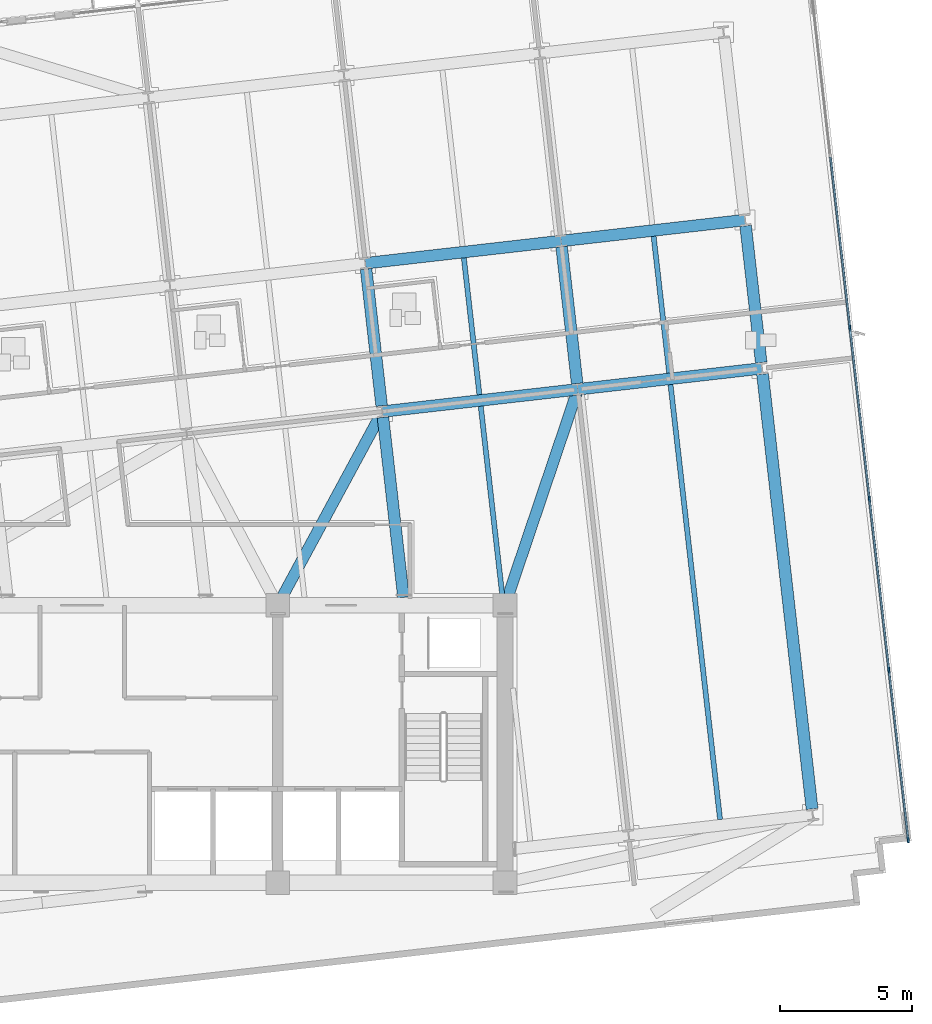
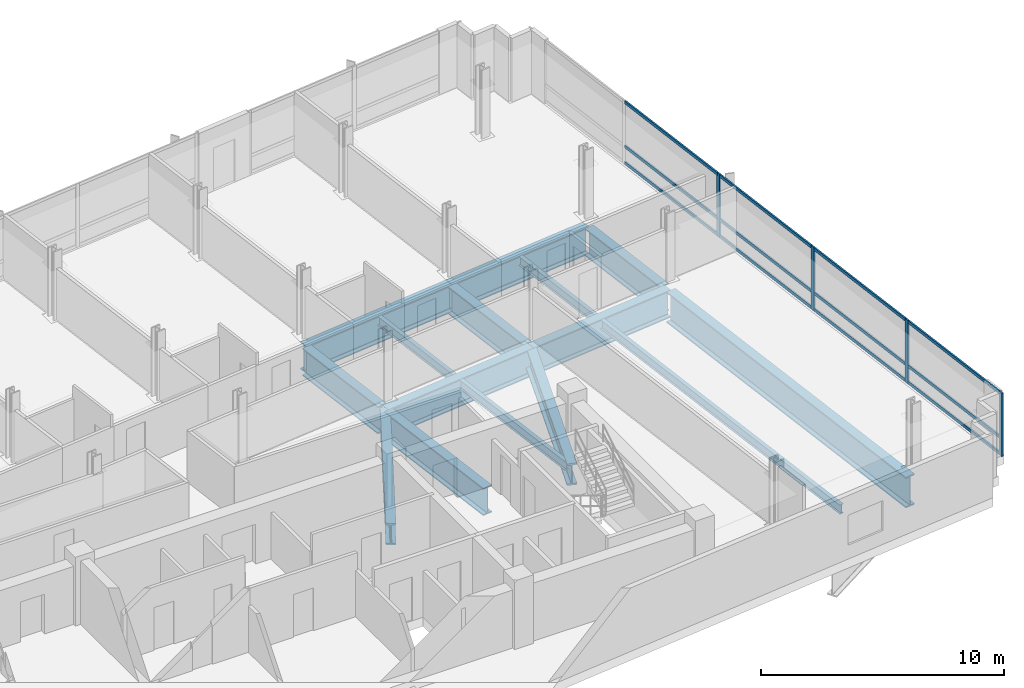
# One storey, part 4 of 15: 16 members, 15 beams, 1 element without a shape of its own.
"""IFC4 building model written with IfcOpenShell, lengths in metres."""

from ifc_helpers import new_model, si_unit, direction, frame, origin, origin_2d, place, context, subcontext, project, spatial, rectangle, i_section, extrude, material, material_profile, profile_set, type_object, element, aggregate, save


model = new_model("IFC4")

# Units and contexts
model_context = context("Model", 3, precision=1e-05, world=origin(), true_north=direction((0.0, 1.0)))
body_context = subcontext(model_context, "Body", "Model", "MODEL_VIEW")
ifc_project = project(units=[si_unit("LENGTHUNIT", "METRE"), si_unit("AREAUNIT", "SQUARE_METRE"), si_unit("VOLUMEUNIT", "CUBIC_METRE"), si_unit("PLANEANGLEUNIT", "RADIAN"), si_unit("MASSUNIT", "GRAM", prefix="KILO")], contexts=[model_context])

# Site, building, storey
site_placement = place(None, origin())
site = spatial("IfcSite", under=ifc_project, at=site_placement, CompositionType="ELEMENT")
building_placement = place(site_placement, origin())
building = spatial("IfcBuilding", under=site, at=building_placement, Name="Solmavex Isthmus Hotel", CompositionType="ELEMENT")
storey_placement = place(building_placement, frame((0.0, 0.0, 191.699951171875)))
storey = spatial("IfcBuildingStorey", under=building, at=storey_placement, Name="L51", CompositionType="ELEMENT", Elevation=191.699951171875)

# Beams
ifc_material_1 = material(Name="Steel ASTM A992 Grade 50", Category="steel")
ifc_material_profile_1 = material_profile(ifc_material_1, i_section(OverallWidth=0.1904296875, OverallDepth=0.456787109375, WebThickness=0.009033203125, FlangeThickness=0.014404296875, FilletRadius=0.0126953125, at=origin_2d()), Name="W18X50")
ifc_profile_set_1 = profile_set([ifc_material_profile_1], Name="Steel ASTM A992 Grade 50")
beam_type_1 = type_object("IfcBeamType", Name="BM-BJ-W18X50", PredefinedType="JOIST", material=ifc_profile_set_1)
beam_1_placement = place(storey_placement, frame((15.908447265625, -2.199951171875, -0.678466796875), z_axis=(-0.113199421768, 0.993572287713, 0.0), x_axis=(-0.993572287713, -0.113199421768, 0.0)))
element("IfcBeam", 1, at=beam_1_placement, inside=storey, type_object=beam_type_1, Name="Secondary Floor Joist L51-J15", PredefinedType="JOIST", context=body_context, shape_type="SweptSolid", body=[
    extrude(i_section(OverallWidth=0.1904296875, OverallDepth=0.456787109375, WebThickness=0.009033203125, FlangeThickness=0.014404296875, FilletRadius=0.0126953125, at=origin_2d()), origin(), (0.0, 0.0, 1.0), 7.279052734375),
])
beam_2_placement = place(storey_placement, frame((15.03466796875, 5.469482421875, -0.678466796875), z_axis=(-0.113209451059, 0.993571145007, 0.0), x_axis=(-0.993571145007, -0.113209451059, 0.0)))
element("IfcBeam", 2, at=beam_2_placement, inside=storey, type_object=beam_type_1, Name="Secondary Floor Joist L51-J16", PredefinedType="JOIST", context=body_context, shape_type="SweptSolid", body=[
    extrude(i_section(OverallWidth=0.1904296875, OverallDepth=0.456787109375, WebThickness=0.009033203125, FlangeThickness=0.014404296875, FilletRadius=0.0126953125, at=origin_2d()), origin(), (0.0, 0.0, 1.0), 5.2080078125),
])
beam_3_placement = place(storey_placement, frame((24.1396484375, -10.603271484375, -0.678466796875), z_axis=(-0.113209378959, 0.993571153222, 0.0), x_axis=(-0.993571153222, -0.113209378959, 0.0)))
element("IfcBeam", 3, at=beam_3_placement, inside=storey, type_object=beam_type_1, Name="Secondary Floor Joist L51-J18", PredefinedType="JOIST", context=body_context, shape_type="SweptSolid", body=[
    extrude(i_section(OverallWidth=0.1904296875, OverallDepth=0.456787109375, WebThickness=0.009033203125, FlangeThickness=0.014404296875, FilletRadius=0.0126953125, at=origin_2d()), origin(), (0.0, 0.0, 1.0), 16.56005859375),
])
beam_4_placement = place(storey_placement, frame((22.215087890625, 6.28759765625, -0.678466796875), z_axis=(-0.113209451059, 0.993571145007, 0.0), x_axis=(-0.993571145007, -0.113209451059, 0.0)))
element("IfcBeam", 4, at=beam_4_placement, inside=storey, type_object=beam_type_1, Name="Secondary Floor Joist L51-J19", PredefinedType="JOIST", context=body_context, shape_type="SweptSolid", body=[
    extrude(i_section(OverallWidth=0.1904296875, OverallDepth=0.456787109375, WebThickness=0.009033203125, FlangeThickness=0.014404296875, FilletRadius=0.0126953125, at=origin_2d()), origin(), (0.0, 0.0, 1.0), 5.2080078125),
])
ifc_material_2 = material(Name="Steel ASTM A572 Grade 50", Category="steel")
ifc_material_profile_2 = material_profile(ifc_material_2, i_section(OverallWidth=0.449951171875, OverallDepth=1.550048828125, WebThickness=0.031982421875, FlangeThickness=0.06494140625, FilletRadius=0.030517578125, at=origin_2d()), Name="I1550X450")
ifc_profile_set_2 = profile_set([ifc_material_profile_2], Name="Steel ASTM A572 Grade 50")
beam_type_2 = type_object("IfcBeamType", Name="BM-TB-G1550", PredefinedType="BEAM", material=ifc_profile_set_2)
beam_5_placement = place(storey_placement, frame((27.62109375, -10.20654296875, -1.224853515625), z_axis=(-0.113209378959, 0.993571153222, 0.0), x_axis=(-0.993571153222, -0.113209378959, 0.0)))
element("IfcBeam", 5, at=beam_5_placement, inside=storey, type_object=beam_type_2, Name="Outrigger Collector Beam L51-VG43", PredefinedType="BEAM", context=body_context, shape_type="SweptSolid", body=[
    extrude(i_section(OverallWidth=0.449951171875, OverallDepth=1.550048828125, WebThickness=0.031982421875, FlangeThickness=0.06494140625, FilletRadius=0.030517578125, at=origin_2d()), origin(), (0.0, 0.0, 1.0), 16.56005859375),
])
ifc_material_3 = material(Name="Steel ASTM A913 Grade 65", Category="steel")
ifc_material_profile_3 = material_profile(ifc_material_3, i_section(OverallWidth=0.42431640625, OverallDepth=1.09228515625, WebThickness=0.04541015625, FlangeThickness=0.08203125, FilletRadius=0.030517578125, at=origin_2d()), Name="W40X593")
ifc_profile_set_3 = profile_set([ifc_material_profile_3], Name="Steel ASTM A913 Grade 65")
beam_type_3 = type_object("IfcBeamType", Name="BM-TB-W40X397", PredefinedType="BEAM", material=ifc_profile_set_3)
beam_6_placement = place(storey_placement, frame((16.0, -2.5, -0.99609375), z_axis=(0.319817394923, 0.947479199721, 0.0), x_axis=(-0.947479199721, 0.319817394923, 0.0)))
element("IfcBeam", 6, at=beam_6_placement, inside=storey, type_object=beam_type_3, Name="Core Outrigger Strut L50-OTNE", PredefinedType="BEAM", context=body_context, shape_type="SweptSolid", body=[
    extrude(i_section(OverallWidth=0.42431640625, OverallDepth=1.09228515625, WebThickness=0.04541015625, FlangeThickness=0.08203125, FilletRadius=0.030517578125, at=origin_2d()), origin(), (0.0, 0.0, 1.0), 8.62548828125),
])
ifc_material_profile_4 = material_profile(ifc_material_2, i_section(OverallWidth=0.43994140625, OverallDepth=1.3798828125, WebThickness=0.030029296875, FlangeThickness=0.054931640625, FilletRadius=0.030517578125, at=origin_2d()), Name="I1380X440")
ifc_profile_set_4 = profile_set([ifc_material_profile_4], Name="Steel ASTM A572 Grade 50")
beam_type_4 = type_object("IfcBeamType", Name="BM-TG-I1380", PredefinedType="BEAM", material=ifc_profile_set_4)
beam_7_placement = place(storey_placement, frame((11.3603515625, 4.829345703125, -1.139892578125), z_axis=(0.9935703463, 0.113216460607, 0.0), x_axis=(-0.113216460607, 0.9935703463, 0.0)))
element("IfcBeam", 7, at=beam_7_placement, inside=storey, type_object=beam_type_4, Name="Outrigger Collector Girder L51-UG10", PredefinedType="BEAM", context=body_context, shape_type="SweptSolid", body=[
    extrude(i_section(OverallWidth=0.43994140625, OverallDepth=1.3798828125, WebThickness=0.030029296875, FlangeThickness=0.054931640625, FilletRadius=0.030517578125, at=origin_2d()), origin(), (0.0, 0.0, 1.0), 7.446044921875),
])
beam_8_placement = place(storey_placement, frame((18.758544921875, 5.67236328125, -1.139892578125), z_axis=(0.99357359356, 0.113187959519, 0.0), x_axis=(-0.113187959519, 0.99357359356, 0.0)))
element("IfcBeam", 8, at=beam_8_placement, inside=storey, type_object=beam_type_4, Name="Outrigger Collector Girder L51-UG11", PredefinedType="BEAM", context=body_context, shape_type="SweptSolid", body=[
    extrude(i_section(OverallWidth=0.43994140625, OverallDepth=1.3798828125, WebThickness=0.030029296875, FlangeThickness=0.054931640625, FilletRadius=0.030517578125, at=origin_2d()), origin(), (0.0, 0.0, 1.0), 7.0078125),
])
beam_9_placement = place(storey_placement, frame((10.720947265625, 10.441162109375, -1.139892578125), z_axis=(0.993574034044, 0.113184092846, 0.0), x_axis=(-0.113184092846, 0.993574034044, 0.0)))
element("IfcBeam", 9, at=beam_9_placement, inside=storey, type_object=beam_type_4, Name="Outrigger Collector Girder L51-UG16", PredefinedType="BEAM", context=body_context, shape_type="SweptSolid", body=[
    extrude(i_section(OverallWidth=0.43994140625, OverallDepth=1.3798828125, WebThickness=0.030029296875, FlangeThickness=0.054931640625, FilletRadius=0.030517578125, at=origin_2d()), origin(), (0.0, 0.0, 1.0), 7.446044921875),
])
beam_10_placement = place(storey_placement, frame((18.119140625, 11.283935546875, -1.139892578125), z_axis=(0.993569675103, 0.113222350774, 0.0), x_axis=(-0.113222350774, 0.993569675103, 0.0)))
element("IfcBeam", 10, at=beam_10_placement, inside=storey, type_object=beam_type_4, Name="Outrigger Collector Girder L51-UG17", PredefinedType="BEAM", context=body_context, shape_type="SweptSolid", body=[
    extrude(i_section(OverallWidth=0.43994140625, OverallDepth=1.3798828125, WebThickness=0.030029296875, FlangeThickness=0.054931640625, FilletRadius=0.030517578125, at=origin_2d()), origin(), (0.0, 0.0, 1.0), 7.008056640625),
])
beam_11_placement = place(storey_placement, frame((12.161376953125, -2.199951171875, -1.139892578125), z_axis=(-0.113222141201, 0.993569698985, 0.0), x_axis=(-0.993569698985, -0.113222141201, 0.0)))
element("IfcBeam", 11, at=beam_11_placement, inside=storey, type_object=beam_type_4, Name="Outrigger Collector Beam L51-VG37", PredefinedType="BEAM", context=body_context, shape_type="SweptSolid", body=[
    extrude(i_section(OverallWidth=0.43994140625, OverallDepth=1.3798828125, WebThickness=0.030029296875, FlangeThickness=0.054931640625, FilletRadius=0.030517578125, at=origin_2d()), origin(), (0.0, 0.0, 1.0), 6.85498046875),
])
beam_12_placement = place(storey_placement, frame((11.33544921875, 5.048095703125, -1.139892578125), z_axis=(-0.113214724175, 0.993570544164, 0.0), x_axis=(-0.993570544164, -0.113214724175, 0.0)))
element("IfcBeam", 12, at=beam_12_placement, inside=storey, type_object=beam_type_4, Name="Outrigger Collector Beam L51-VG38", PredefinedType="BEAM", context=body_context, shape_type="SweptSolid", body=[
    extrude(i_section(OverallWidth=0.43994140625, OverallDepth=1.3798828125, WebThickness=0.030029296875, FlangeThickness=0.054931640625, FilletRadius=0.030517578125, at=origin_2d()), origin(), (0.0, 0.0, 1.0), 5.207763671875),
])
beam_13_placement = place(storey_placement, frame((18.733642578125, 5.890869140625, -1.139892578125), z_axis=(-0.113209451059, 0.993571145007, 0.0), x_axis=(-0.993571145007, -0.113209451059, 0.0)))
element("IfcBeam", 13, at=beam_13_placement, inside=storey, type_object=beam_type_4, Name="Outrigger Collector Beam L51-VG41", PredefinedType="BEAM", context=body_context, shape_type="SweptSolid", body=[
    extrude(i_section(OverallWidth=0.43994140625, OverallDepth=1.3798828125, WebThickness=0.030029296875, FlangeThickness=0.054931640625, FilletRadius=0.030517578125, at=origin_2d()), origin(), (0.0, 0.0, 1.0), 5.2080078125),
])
beam_14_placement = place(storey_placement, frame((25.696533203125, 6.684326171875, -1.139892578125), z_axis=(-0.113214724175, 0.993570544164, 0.0), x_axis=(-0.993570544164, -0.113214724175, 0.0)))
element("IfcBeam", 14, at=beam_14_placement, inside=storey, type_object=beam_type_4, Name="Outrigger Collector Beam L51-VG44", PredefinedType="BEAM", context=body_context, shape_type="SweptSolid", body=[
    extrude(i_section(OverallWidth=0.43994140625, OverallDepth=1.3798828125, WebThickness=0.030029296875, FlangeThickness=0.054931640625, FilletRadius=0.030517578125, at=origin_2d()), origin(), (0.0, 0.0, 1.0), 5.207763671875),
])
ifc_material_profile_5 = material_profile(ifc_material_3, i_section(OverallWidth=0.42431640625, OverallDepth=1.09228515625, WebThickness=0.04541015625, FlangeThickness=0.08203125, FilletRadius=0.030517578125, at=origin_2d()), Name="W40X593")
ifc_profile_set_5 = profile_set([ifc_material_profile_5], Name="Steel ASTM A913 Grade 65")
beam_type_5 = type_object("IfcBeamType", Name="BM-TG-W40X593", PredefinedType="BEAM", material=ifc_profile_set_5)
beam_15_placement = place(storey_placement, frame((7.39990234375, -2.5, -0.99609375), z_axis=(0.475390763168, 0.879774756568, 0.0), x_axis=(-0.879774756568, 0.475390763168, 0.0)))
element("IfcBeam", 15, at=beam_15_placement, inside=storey, type_object=beam_type_5, Name="Core Outrigger Strut L50-OTE", PredefinedType="BEAM", context=body_context, shape_type="SweptSolid", body=[
    extrude(i_section(OverallWidth=0.42431640625, OverallDepth=1.09228515625, WebThickness=0.04541015625, FlangeThickness=0.08203125, FilletRadius=0.030517578125, at=origin_2d()), origin(), (0.0, 0.0, 1.0), 8.3310546875),
])

# Curtain wall, members
ifc_material_4 = material(Name="Aluminium alloy 6063-T6", Category="aluminium")
curtain_wall_type = type_object("IfcCurtainWallType", Name="CW-SYS-04", PredefinedType="NOTDEFINED", material=ifc_material_4)
curtain_wall_placement = place(storey_placement, origin())
curtain_wall = element("IfcCurtainWall", 16, at=curtain_wall_placement, inside=storey, type_object=curtain_wall_type, Name="Stick Curtain Wall CWL-L51-E1", PredefinedType="NOTDEFINED")
ifc_material_profile_6 = material_profile(ifc_material_4, rectangle(XDim=0.074951171875, YDim=0.199951171875, at=origin_2d()), Name="CWM-75X200")
ifc_profile_set_6 = profile_set([ifc_material_profile_6], Name="Aluminium alloy 6063-T6")
member_type_1 = type_object("IfcMemberType", Name="CW-SYS-04-MUL", PredefinedType="MULLION", material=ifc_profile_set_6)
member_1_placement = place(storey_placement, frame((31.2578125, -11.384765625, 0.0), z_axis=(0.0, 0.0, 1.0), x_axis=(-0.993571836648, -0.11320338078, 0.0)))
member_1 = element("IfcMember", 17, at=member_1_placement, type_object=member_type_1, Name="CW-04 mullion 1", PredefinedType="MULLION", context=body_context, shape_type="SweptSolid", body=[
    extrude(rectangle(XDim=0.074951171875, YDim=0.199951171875, at=origin_2d()), origin(), (0.0, 0.0, 1.0), 3.18994140625),
])
member_2_placement = place(storey_placement, frame((30.52392578125, -4.944091796875, 0.0), z_axis=(0.0, 0.0, 1.0), x_axis=(-0.993571836648, -0.11320338078, 0.0)))
member_2 = element("IfcMember", 18, at=member_2_placement, type_object=member_type_1, Name="CW-04 mullion 2", PredefinedType="MULLION", context=body_context, shape_type="SweptSolid", body=[
    extrude(rectangle(XDim=0.074951171875, YDim=0.199951171875, at=origin_2d()), origin(), (0.0, 0.0, 1.0), 3.18994140625),
])
member_3_placement = place(storey_placement, frame((29.785888671875, 1.533935546875, 0.0), z_axis=(0.0, 0.0, 1.0), x_axis=(-0.993571836648, -0.11320338078, 0.0)))
member_3 = element("IfcMember", 19, at=member_3_placement, type_object=member_type_1, Name="CW-04 mullion 3", PredefinedType="MULLION", context=body_context, shape_type="SweptSolid", body=[
    extrude(rectangle(XDim=0.074951171875, YDim=0.199951171875, at=origin_2d()), origin(), (0.0, 0.0, 1.0), 3.18994140625),
])
member_4_placement = place(storey_placement, frame((29.0478515625, 8.01220703125, 0.0), z_axis=(0.0, 0.0, 1.0), x_axis=(-0.993571836648, -0.11320338078, 0.0)))
member_4 = element("IfcMember", 20, at=member_4_placement, type_object=member_type_1, Name="CW-04 mullion 4", PredefinedType="MULLION", context=body_context, shape_type="SweptSolid", body=[
    extrude(rectangle(XDim=0.074951171875, YDim=0.199951171875, at=origin_2d()), origin(), (0.0, 0.0, 1.0), 3.18994140625),
])
ifc_material_profile_7 = material_profile(ifc_material_4, rectangle(XDim=0.074951171875, YDim=0.14990234375, at=origin_2d()), Name="CWT-75X150")
ifc_profile_set_7 = profile_set([ifc_material_profile_7], Name="Aluminium alloy 6063-T6")
member_type_2 = type_object("IfcMemberType", Name="CW-SYS-04-TRN", PredefinedType="USERDEFINED", material=ifc_profile_set_7)
member_5_placement = place(storey_placement, frame((31.253662109375, -11.34765625, 0.074951171875), z_axis=(-0.113199495412, 0.993572279323, 0.0), x_axis=(-0.993572279323, -0.113199495412, 0.0)))
member_5 = element("IfcMember", 21, at=member_5_placement, type_object=member_type_2, Name="CW-04 transom 1.1", ObjectType="TRANSOM", PredefinedType="USERDEFINED", context=body_context, shape_type="SweptSolid", body=[
    extrude(rectangle(XDim=0.074951171875, YDim=0.14990234375, at=origin_2d()), origin(), (0.0, 0.0, 1.0), 6.40771484375),
])
member_6_placement = place(storey_placement, frame((31.253662109375, -11.34765625, 0.900146484375), z_axis=(-0.113199495412, 0.993572279323, 0.0), x_axis=(-0.993572279323, -0.113199495412, 0.0)))
member_6 = element("IfcMember", 22, at=member_6_placement, type_object=member_type_2, Name="CW-04 transom 1.2", ObjectType="TRANSOM", PredefinedType="USERDEFINED", context=body_context, shape_type="SweptSolid", body=[
    extrude(rectangle(XDim=0.074951171875, YDim=0.14990234375, at=origin_2d()), origin(), (0.0, 0.0, 1.0), 6.40771484375),
])
member_7_placement = place(storey_placement, frame((31.253662109375, -11.34765625, 3.114990234375), z_axis=(-0.113199495412, 0.993572279323, 0.0), x_axis=(-0.993572279323, -0.113199495412, 0.0)))
member_7 = element("IfcMember", 23, at=member_7_placement, type_object=member_type_2, Name="CW-04 transom 1.3", ObjectType="TRANSOM", PredefinedType="USERDEFINED", context=body_context, shape_type="SweptSolid", body=[
    extrude(rectangle(XDim=0.074951171875, YDim=0.14990234375, at=origin_2d()), origin(), (0.0, 0.0, 1.0), 6.40771484375),
])
member_8_placement = place(storey_placement, frame((30.519775390625, -4.90673828125, 0.074951171875), z_axis=(-0.113225012477, 0.993569371785, 0.0), x_axis=(-0.993569371785, -0.113225012477, 0.0)))
member_8 = element("IfcMember", 24, at=member_8_placement, type_object=member_type_2, Name="CW-04 transom 2.1", ObjectType="TRANSOM", PredefinedType="USERDEFINED", context=body_context, shape_type="SweptSolid", body=[
    extrude(rectangle(XDim=0.074951171875, YDim=0.14990234375, at=origin_2d()), origin(), (0.0, 0.0, 1.0), 6.445068359375),
])
member_9_placement = place(storey_placement, frame((30.519775390625, -4.90673828125, 0.900146484375), z_axis=(-0.113225012477, 0.993569371785, 0.0), x_axis=(-0.993569371785, -0.113225012477, 0.0)))
member_9 = element("IfcMember", 25, at=member_9_placement, type_object=member_type_2, Name="CW-04 transom 2.2", ObjectType="TRANSOM", PredefinedType="USERDEFINED", context=body_context, shape_type="SweptSolid", body=[
    extrude(rectangle(XDim=0.074951171875, YDim=0.14990234375, at=origin_2d()), origin(), (0.0, 0.0, 1.0), 6.445068359375),
])
member_10_placement = place(storey_placement, frame((30.519775390625, -4.90673828125, 3.114990234375), z_axis=(-0.113225012477, 0.993569371785, 0.0), x_axis=(-0.993569371785, -0.113225012477, 0.0)))
member_10 = element("IfcMember", 26, at=member_10_placement, type_object=member_type_2, Name="CW-04 transom 2.3", ObjectType="TRANSOM", PredefinedType="USERDEFINED", context=body_context, shape_type="SweptSolid", body=[
    extrude(rectangle(XDim=0.074951171875, YDim=0.14990234375, at=origin_2d()), origin(), (0.0, 0.0, 1.0), 6.445068359375),
])
member_11_placement = place(storey_placement, frame((29.78173828125, 1.5712890625, 0.074951171875), z_axis=(-0.113225012477, 0.993569371785, 0.0), x_axis=(-0.993569371785, -0.113225012477, 0.0)))
member_11 = element("IfcMember", 27, at=member_11_placement, type_object=member_type_2, Name="CW-04 transom 3.1", ObjectType="TRANSOM", PredefinedType="USERDEFINED", context=body_context, shape_type="SweptSolid", body=[
    extrude(rectangle(XDim=0.074951171875, YDim=0.14990234375, at=origin_2d()), origin(), (0.0, 0.0, 1.0), 6.445068359375),
])
member_12_placement = place(storey_placement, frame((29.78173828125, 1.5712890625, 0.900146484375), z_axis=(-0.113225012477, 0.993569371785, 0.0), x_axis=(-0.993569371785, -0.113225012477, 0.0)))
member_12 = element("IfcMember", 28, at=member_12_placement, type_object=member_type_2, Name="CW-04 transom 3.2", ObjectType="TRANSOM", PredefinedType="USERDEFINED", context=body_context, shape_type="SweptSolid", body=[
    extrude(rectangle(XDim=0.074951171875, YDim=0.14990234375, at=origin_2d()), origin(), (0.0, 0.0, 1.0), 6.445068359375),
])
member_13_placement = place(storey_placement, frame((29.78173828125, 1.5712890625, 3.114990234375), z_axis=(-0.113225012477, 0.993569371785, 0.0), x_axis=(-0.993569371785, -0.113225012477, 0.0)))
member_13 = element("IfcMember", 29, at=member_13_placement, type_object=member_type_2, Name="CW-04 transom 3.3", ObjectType="TRANSOM", PredefinedType="USERDEFINED", context=body_context, shape_type="SweptSolid", body=[
    extrude(rectangle(XDim=0.074951171875, YDim=0.14990234375, at=origin_2d()), origin(), (0.0, 0.0, 1.0), 6.445068359375),
])
member_14_placement = place(storey_placement, frame((29.04345703125, 8.04931640625, 0.074951171875), z_axis=(-0.113187617296, 0.993573632546, 0.0), x_axis=(-0.993573632546, -0.113187617296, 0.0)))
member_14 = element("IfcMember", 30, at=member_14_placement, type_object=member_type_2, Name="CW-04 transom 4.1", ObjectType="TRANSOM", PredefinedType="USERDEFINED", context=body_context, shape_type="SweptSolid", body=[
    extrude(rectangle(XDim=0.074951171875, YDim=0.14990234375, at=origin_2d()), origin(), (0.0, 0.0, 1.0), 6.445068359375),
])
member_15_placement = place(storey_placement, frame((29.04345703125, 8.04931640625, 0.900146484375), z_axis=(-0.113187617296, 0.993573632546, 0.0), x_axis=(-0.993573632546, -0.113187617296, 0.0)))
member_15 = element("IfcMember", 31, at=member_15_placement, type_object=member_type_2, Name="CW-04 transom 4.2", ObjectType="TRANSOM", PredefinedType="USERDEFINED", context=body_context, shape_type="SweptSolid", body=[
    extrude(rectangle(XDim=0.074951171875, YDim=0.14990234375, at=origin_2d()), origin(), (0.0, 0.0, 1.0), 6.445068359375),
])
member_16_placement = place(storey_placement, frame((29.04345703125, 8.04931640625, 3.114990234375), z_axis=(-0.113187617296, 0.993573632546, 0.0), x_axis=(-0.993573632546, -0.113187617296, 0.0)))
member_16 = element("IfcMember", 32, at=member_16_placement, type_object=member_type_2, Name="CW-04 transom 4.3", ObjectType="TRANSOM", PredefinedType="USERDEFINED", context=body_context, shape_type="SweptSolid", body=[
    extrude(rectangle(XDim=0.074951171875, YDim=0.14990234375, at=origin_2d()), origin(), (0.0, 0.0, 1.0), 6.445068359375),
])
aggregate(curtain_wall, [member_1, member_2, member_3, member_4, member_5, member_6, member_7, member_8, member_9, member_10, member_11, member_12, member_13, member_14, member_15, member_16])

save(model, "model.ifc")
